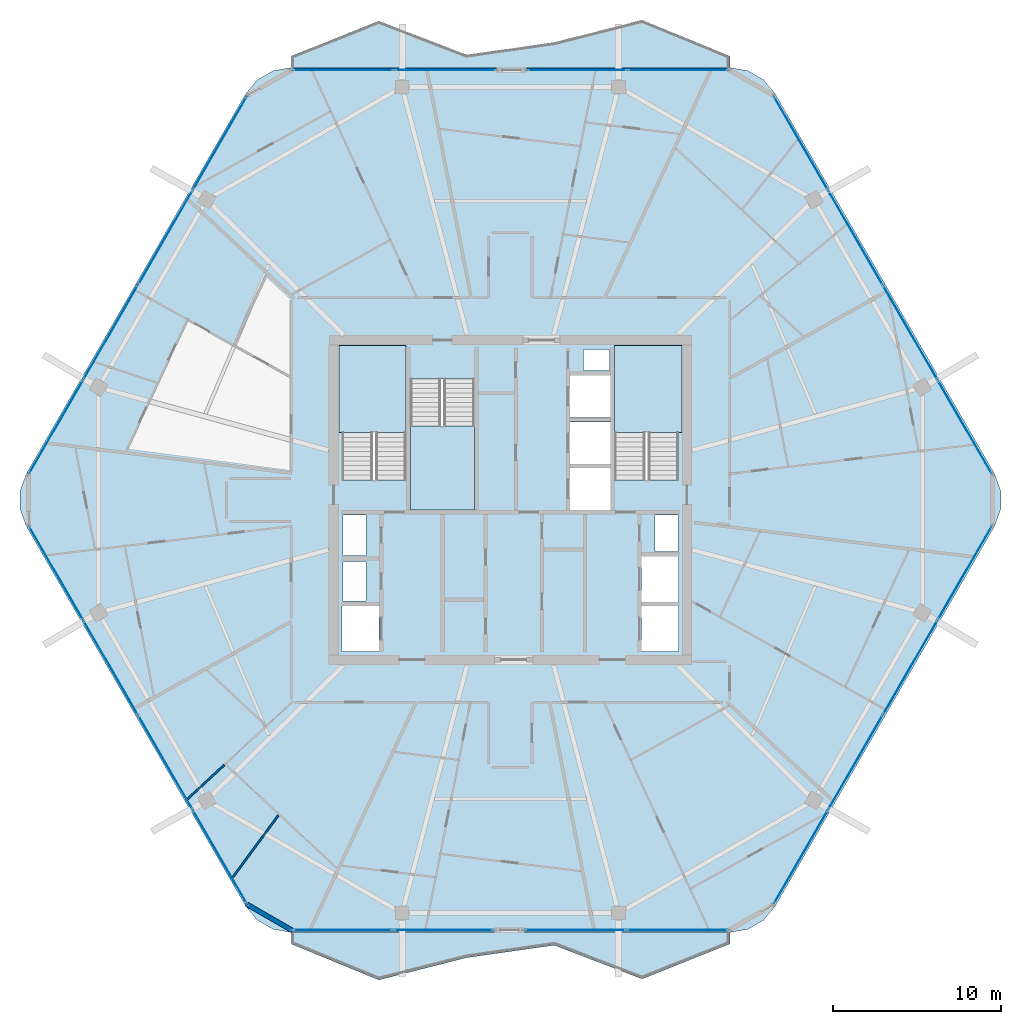
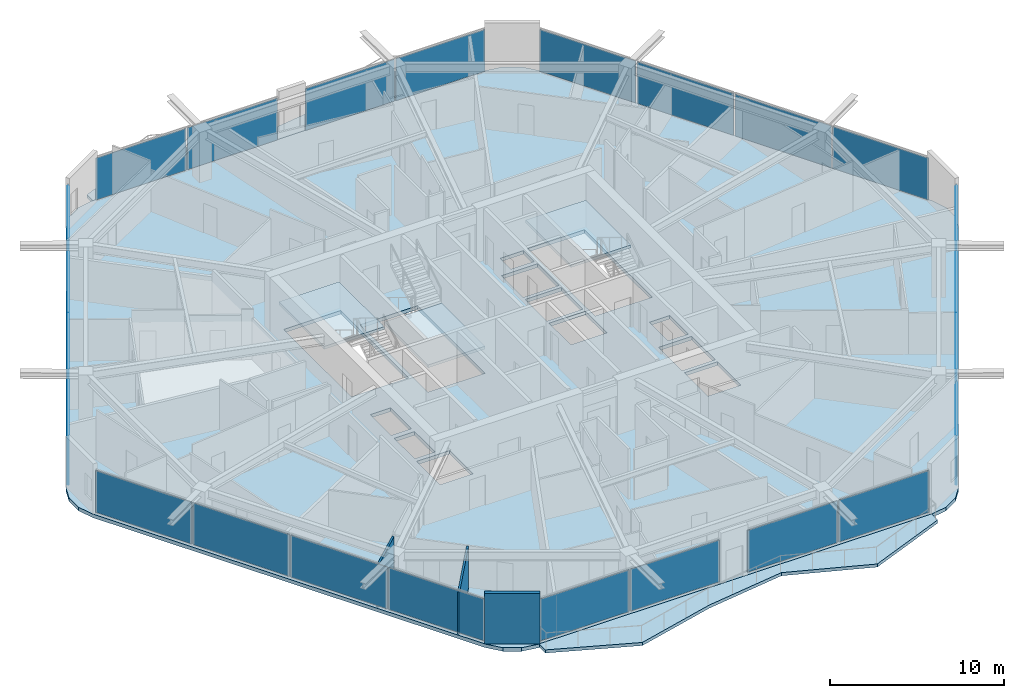
# One storey, part 18 of 27: 24 plates, 6 slabs, 3 walls, 11 elements without a shape of their own.
"""IFC4 building model written with IfcOpenShell, lengths in metres."""

from ifc_helpers import new_model, si_unit, direction, frame, frame_2d, origin, origin_2d, place, context, subcontext, project, spatial, polyline, rectangle, outline, extrude, material, layer, layer_set, type_object, element, aggregate, save


model = new_model("IFC4")

# Units and contexts
model_context = context("Model", 3, precision=1e-05, world=origin(), true_north=direction((0.0, 1.0)))
body_context = subcontext(model_context, "Body", "Model", "MODEL_VIEW")
ifc_project = project(units=[si_unit("LENGTHUNIT", "METRE"), si_unit("AREAUNIT", "SQUARE_METRE"), si_unit("VOLUMEUNIT", "CUBIC_METRE"), si_unit("PLANEANGLEUNIT", "RADIAN"), si_unit("MASSUNIT", "GRAM", prefix="KILO")], contexts=[model_context])

# Site, building, storey
site_placement = place(None, origin())
site = spatial("IfcSite", under=ifc_project, at=site_placement, CompositionType="ELEMENT")
building_placement = place(site_placement, origin())
building = spatial("IfcBuilding", under=site, at=building_placement, Name="Zuhravey Tower", CompositionType="ELEMENT")
storey_placement = place(building_placement, frame((0.0, 0.0, 265.39990234375)))
storey = spatial("IfcBuildingStorey", under=building, at=storey_placement, Name="L67", CompositionType="ELEMENT", Elevation=265.39990234375)

# Slabs
ifc_material_1 = material(Name="Concrete C50/60", Category="concrete")
ifc_layer_1 = layer(ifc_material_1, 0.25)
ifc_layer_set_1 = layer_set([ifc_layer_1], Name="Concrete C50/60")
slab_type_1 = type_object("IfcSlabType", Name="Residential Acoustic Slab 250", PredefinedType="FLOOR", material=ifc_layer_set_1)
slab_1_placement = place(storey_placement, frame((0.0, 0.0, -0.25)))
element("IfcSlab", 1, at=slab_1_placement, inside=storey, type_object=slab_type_1, Name="L67 Floor Slab FS25", PredefinedType="FLOOR", context=body_context, shape_type="SweptSolid", body=[
    extrude(outline(polyline([(64.78515625, 30.449951171875), (65.1533203125, 31.461669921875), (65.1533203125, 32.538330078125), (64.78515625, 33.550048828125), (51.73486328125, 56.153564453125), (51.04296875, 56.978515625), (50.110595703125, 57.5166015625), (49.05029296875, 57.70361328125), (22.94970703125, 57.70361328125), (21.889404296875, 57.5166015625), (20.95703125, 56.978515625), (20.26513671875, 56.153564453125), (7.21484375, 33.550048828125), (6.8466796875, 32.538330078125), (6.8466796875, 31.461669921875), (7.21484375, 30.449951171875), (20.26513671875, 7.846435546875), (20.95703125, 7.021484375), (21.889404296875, 6.4833984375), (22.94970703125, 6.29638671875), (49.05029296875, 6.29638671875), (50.110595703125, 6.4833984375), (51.04296875, 7.021484375), (51.73486328125, 7.846435546875), (64.78515625, 30.449951171875)]), holes=[polyline([(29.800048828125, 33.20068359375), (29.800048828125, 41.0), (26.0, 41.0), (26.0, 33.20068359375), (29.800048828125, 33.20068359375)]), polyline([(46.0, 33.20068359375), (46.0, 41.0), (42.199951171875, 41.0), (42.199951171875, 33.20068359375), (46.0, 33.20068359375)]), polyline([(30.050048828125, 39.199462890625), (30.050048828125, 31.39990234375), (33.85009765625, 31.39990234375), (33.85009765625, 39.199462890625), (30.050048828125, 39.199462890625)]), polyline([(39.550048828125, 31.39990234375), (41.949951171875, 31.39990234375), (41.949951171875, 33.89990234375), (39.550048828125, 33.89990234375), (39.550048828125, 31.39990234375)]), polyline([(39.550048828125, 34.14990234375), (41.949951171875, 34.14990234375), (41.949951171875, 36.64990234375), (39.550048828125, 36.64990234375), (39.550048828125, 34.14990234375)]), polyline([(39.550048828125, 36.89990234375), (41.949951171875, 36.89990234375), (41.949951171875, 39.39990234375), (39.550048828125, 39.39990234375), (39.550048828125, 36.89990234375)]), polyline([(26.0, 23.0), (28.199951171875, 23.0), (28.199951171875, 25.699951171875), (26.0, 25.699951171875), (26.0, 23.0)]), polyline([(43.800048828125, 23.0), (46.0, 23.0), (46.0, 25.699951171875), (43.800048828125, 25.699951171875), (43.800048828125, 23.0)]), polyline([(43.800048828125, 25.949951171875), (46.0, 25.949951171875), (46.0, 28.64990234375), (43.800048828125, 28.64990234375), (43.800048828125, 25.949951171875)]), polyline([(26.050048828125, 26.0), (27.39990234375, 26.0), (27.39990234375, 28.35009765625), (26.050048828125, 28.35009765625), (26.050048828125, 26.0)]), polyline([(26.050048828125, 28.699951171875), (27.39990234375, 28.699951171875), (27.39990234375, 31.10009765625), (26.050048828125, 31.10009765625), (26.050048828125, 28.699951171875)]), polyline([(44.60009765625, 28.949951171875), (45.949951171875, 28.949951171875), (45.949951171875, 31.10009765625), (44.60009765625, 31.10009765625), (44.60009765625, 28.949951171875)]), polyline([(40.35009765625, 39.699951171875), (41.89990234375, 39.699951171875), (41.89990234375, 40.949951171875), (40.35009765625, 40.949951171875), (40.35009765625, 39.699951171875)])]), origin(), (0.0, 0.0, 1.0), 0.25),
])
ifc_material_2 = material(Name="Concrete C40/50", Category="concrete")
ifc_layer_2 = layer(ifc_material_2, 0.219970703125)
ifc_layer_set_2 = layer_set([ifc_layer_2], Name="Concrete C40/50")
slab_type_2 = type_object("IfcSlabType", Name="Sinusoidal Residential Wave Balcony 220", PredefinedType="FLOOR", material=ifc_layer_set_2)
slab_2_placement = place(storey_placement, frame((0.0, 0.0, -0.219970703125)))
element("IfcSlab", 2, at=slab_2_placement, inside=storey, type_object=slab_type_2, Name="L67 Face 2 Wave Balcony WB22", PredefinedType="FLOOR", context=body_context, shape_type="SweptSolid", body=[
    extrude(outline(polyline([(49.04150390625, 57.688720703125), (22.95849609375, 57.688720703125), (22.95849609375, 58.388671875), (28.175048828125, 60.4736328125), (33.3916015625, 58.4677734375), (38.6083984375, 59.208740234375), (43.824951171875, 60.533203125), (49.04150390625, 58.388671875), (49.04150390625, 57.688720703125)])), origin(), (0.0, 0.0, 1.0), 0.219970703125),
])
slab_3_placement = place(storey_placement, frame((0.0, 0.0, -0.219970703125)))
element("IfcSlab", 3, at=slab_3_placement, inside=storey, type_object=slab_type_2, Name="L67 Face 5 Wave Balcony WB22", PredefinedType="FLOOR", context=body_context, shape_type="SweptSolid", body=[
    extrude(outline(polyline([(22.95849609375, 6.311279296875), (49.04150390625, 6.311279296875), (49.04150390625, 5.611328125), (43.824951171875, 3.5263671875), (38.6083984375, 5.5322265625), (33.3916015625, 4.791259765625), (28.175048828125, 3.466796875), (22.95849609375, 5.611328125), (22.95849609375, 6.311279296875)])), origin(), (0.0, 0.0, 1.0), 0.219970703125),
])

# Stair, slab
stair_type = type_object("IfcStairType", Name="Housing Storey Stair Assembly 3800", PredefinedType="HALF_TURN_STAIR", material=ifc_material_2)
stair_1_placement = place(storey_placement, origin())
stair_1 = element("IfcStair", 4, at=stair_1_placement, inside=storey, type_object=stair_type, Name="L67 Core Exit Stair ST1", PredefinedType="HALF_TURN_STAIR")
ifc_layer_3 = layer(ifc_material_2, 0.199951171875)
ifc_layer_set_3 = layer_set([ifc_layer_3], Name="Concrete C40/50")
slab_type_3 = type_object("IfcSlabType", Name="Stair Landing Slab 200", PredefinedType="LANDING", material=ifc_layer_set_3)
slab_4_placement = place(storey_placement, frame((0.0, 0.0, 1.7001953125)))
slab_4 = element("IfcSlab", 5, at=slab_4_placement, type_object=slab_type_3, Name="ST1 landing 1", PredefinedType="LANDING", context=body_context, shape_type="SweptSolid", body=[
    extrude(outline(polyline([(29.800048828125, 36.0), (29.800048828125, 41.197998046875), (25.802001953125, 41.197998046875), (25.802001953125, 36.0), (29.800048828125, 36.0)])), origin(), (0.0, 0.0, 1.0), 0.199951171875),
])
aggregate(stair_1, [slab_4])

stair_2_placement = place(storey_placement, origin())
stair_2 = element("IfcStair", 6, at=stair_2_placement, inside=storey, type_object=stair_type, Name="L67 Core Exit Stair ST2", PredefinedType="HALF_TURN_STAIR")
slab_5_placement = place(storey_placement, frame((0.0, 0.0, 1.7001953125)))
slab_5 = element("IfcSlab", 7, at=slab_5_placement, type_object=slab_type_3, Name="ST2 landing 1", PredefinedType="LANDING", context=body_context, shape_type="SweptSolid", body=[
    extrude(outline(polyline([(46.197998046875, 36.0), (46.197998046875, 41.197998046875), (42.199951171875, 41.197998046875), (42.199951171875, 36.0), (46.197998046875, 36.0)])), origin(), (0.0, 0.0, 1.0), 0.199951171875),
])
aggregate(stair_2, [slab_5])

stair_3_placement = place(storey_placement, origin())
stair_3 = element("IfcStair", 8, at=stair_3_placement, inside=storey, type_object=stair_type, Name="L67 Core Exit Stair ST3", PredefinedType="HALF_TURN_STAIR")
slab_6_placement = place(storey_placement, frame((0.0, 0.0, 1.7001953125)))
slab_6 = element("IfcSlab", 9, at=slab_6_placement, type_object=slab_type_3, Name="ST3 landing 1", PredefinedType="LANDING", context=body_context, shape_type="SweptSolid", body=[
    extrude(outline(polyline([(30.050048828125, 36.39990234375), (30.050048828125, 31.39990234375), (33.85009765625, 31.39990234375), (33.85009765625, 36.39990234375), (30.050048828125, 36.39990234375)])), origin(), (0.0, 0.0, 1.0), 0.199951171875),
])
aggregate(stair_3, [slab_6])

# Curtain wall, plates
ifc_material_3 = material(Name="Thermally broken anodised aluminium", Category="aluminium")
curtain_wall_type = type_object("IfcCurtainWallType", Name="Zone 3-4 High-Rise Curtain Wall CW4", PredefinedType="NOTDEFINED", material=ifc_material_3)
curtain_wall_1_placement = place(storey_placement, origin())
curtain_wall_1 = element("IfcCurtainWall", 10, at=curtain_wall_1_placement, inside=storey, type_object=curtain_wall_type, Name="L67 CW4 CW-L67-F6-1", PredefinedType="NOTDEFINED")
ifc_material_4 = material(Name="Triple low-E insulated vision glass", Category="glass")
ifc_layer_4 = layer(ifc_material_4, 0.0419921875)
ifc_layer_set_4 = layer_set([ifc_layer_4], Name="Triple low-E insulated vision glass")
plate_type = type_object("IfcPlateType", Name="Triple Low-E Vision Panel", PredefinedType="CURTAIN_PANEL", material=ifc_layer_set_4)
plate_1_placement = place(storey_placement, frame((63.00732421875, 27.650634765625, 0.090087890625), z_axis=(0.0, 0.0, 1.0), x_axis=(-0.500000957414, -0.866024851021, 0.0)))
plate_1 = element("IfcPlate", 11, at=plate_1_placement, type_object=plate_type, Name="CW4 panel 1.1", PredefinedType="CURTAIN_PANEL", context=body_context, shape_type="SweptSolid", body=[
    extrude(rectangle(XDim=6.371337890625, YDim=0.0419921875, at=origin_2d()), origin(), (0.0, 0.0, 1.0), 2.94189453125),
])
plate_2_placement = place(storey_placement, frame((59.765380859375, 22.03564453125, 0.090087890625), z_axis=(0.0, 0.0, 1.0), x_axis=(-0.500000957414, -0.866024851021, 0.0)))
plate_2 = element("IfcPlate", 12, at=plate_2_placement, type_object=plate_type, Name="CW4 panel 2.1", PredefinedType="CURTAIN_PANEL", context=body_context, shape_type="SweptSolid", body=[
    extrude(rectangle(XDim=6.416259765625, YDim=0.0419921875, at=origin_2d()), origin(), (0.0, 0.0, 1.0), 2.94189453125),
])
plate_3_placement = place(storey_placement, frame((56.51220703125, 16.40087890625, 0.090087890625), z_axis=(0.0, 0.0, 1.0), x_axis=(-0.500000957414, -0.866024851021, 0.0)))
plate_3 = element("IfcPlate", 13, at=plate_3_placement, type_object=plate_type, Name="CW4 panel 3.1", PredefinedType="CURTAIN_PANEL", context=body_context, shape_type="SweptSolid", body=[
    extrude(rectangle(XDim=6.416259765625, YDim=0.0419921875, at=origin_2d()), origin(), (0.0, 0.0, 1.0), 2.94189453125),
])
plate_4_placement = place(storey_placement, frame((53.270263671875, 10.78564453125, 0.090087890625), z_axis=(0.0, 0.0, 1.0), x_axis=(-0.500000957414, -0.866024851021, 0.0)))
plate_4 = element("IfcPlate", 14, at=plate_4_placement, type_object=plate_type, Name="CW4 panel 4.1", PredefinedType="CURTAIN_PANEL", context=body_context, shape_type="SweptSolid", body=[
    extrude(rectangle(XDim=6.371337890625, YDim=0.0419921875, at=origin_2d()), origin(), (0.0, 0.0, 1.0), 2.94189453125),
])
aggregate(curtain_wall_1, [plate_1, plate_2, plate_3, plate_4])

curtain_wall_2_placement = place(storey_placement, origin())
curtain_wall_2 = element("IfcCurtainWall", 15, at=curtain_wall_2_placement, inside=storey, type_object=curtain_wall_type, Name="L67 CW4 CW-L67-F5-1", PredefinedType="NOTDEFINED")
plate_5_placement = place(storey_placement, frame((45.932861328125, 6.436279296875, 0.090087890625), z_axis=(0.0, 0.0, 1.0), x_axis=(-1.0, 0.0, 0.0)))
plate_5 = element("IfcPlate", 16, at=plate_5_placement, type_object=plate_type, Name="CW4 panel 1.1", PredefinedType="CURTAIN_PANEL", context=body_context, shape_type="SweptSolid", body=[
    extrude(rectangle(XDim=5.9794921875, YDim=0.0419921875, at=origin_2d()), origin(), (0.0, 0.0, 1.0), 2.94189453125),
])
plate_6_placement = place(storey_placement, frame((39.86328125, 6.436279296875, 0.090087890625), z_axis=(0.0, 0.0, 1.0), x_axis=(-1.0, 0.0, 0.0)))
plate_6 = element("IfcPlate", 17, at=plate_6_placement, type_object=plate_type, Name="CW4 panel 2.1", PredefinedType="CURTAIN_PANEL", context=body_context, shape_type="SweptSolid", body=[
    extrude(rectangle(XDim=5.9794921875, YDim=0.0419921875, at=origin_2d()), origin(), (0.0, 0.0, 1.0), 2.94189453125),
])
aggregate(curtain_wall_2, [plate_5, plate_6])

curtain_wall_3_placement = place(storey_placement, origin())
curtain_wall_3 = element("IfcCurtainWall", 18, at=curtain_wall_3_placement, inside=storey, type_object=curtain_wall_type, Name="L67 CW4 CW-L67-F5-2", PredefinedType="NOTDEFINED")
plate_7_placement = place(storey_placement, frame((32.036865234375, 6.436279296875, 0.090087890625), z_axis=(0.0, 0.0, 1.0), x_axis=(-1.0, 0.0, 0.0)))
plate_7 = element("IfcPlate", 19, at=plate_7_placement, type_object=plate_type, Name="CW4 panel 1.1", PredefinedType="CURTAIN_PANEL", context=body_context, shape_type="SweptSolid", body=[
    extrude(rectangle(XDim=5.9130859375, YDim=0.0419921875, at=origin_2d()), origin(), (0.0, 0.0, 1.0), 2.94189453125),
])
plate_8_placement = place(storey_placement, frame((26.033935546875, 6.436279296875, 0.090087890625), z_axis=(0.0, 0.0, 1.0), x_axis=(-1.0, 0.0, 0.0)))
plate_8 = element("IfcPlate", 20, at=plate_8_placement, type_object=plate_type, Name="CW4 panel 2.1", PredefinedType="CURTAIN_PANEL", context=body_context, shape_type="SweptSolid", body=[
    extrude(rectangle(XDim=5.9130859375, YDim=0.0419921875, at=origin_2d()), origin(), (0.0, 0.0, 1.0), 2.94189453125),
])
aggregate(curtain_wall_3, [plate_7, plate_8])

curtain_wall_4_placement = place(storey_placement, origin())
curtain_wall_4 = element("IfcCurtainWall", 21, at=curtain_wall_4_placement, inside=storey, type_object=curtain_wall_type, Name="L67 CW4 CW-L67-F4-1", PredefinedType="NOTDEFINED")
plate_9_placement = place(storey_placement, frame((18.729736328125, 10.78564453125, 0.090087890625), z_axis=(0.0, 0.0, 1.0), x_axis=(-0.500000957414, 0.866024851021, 0.0)))
plate_9 = element("IfcPlate", 22, at=plate_9_placement, type_object=plate_type, Name="CW4 panel 1.1", PredefinedType="CURTAIN_PANEL", context=body_context, shape_type="SweptSolid", body=[
    extrude(rectangle(XDim=6.371337890625, YDim=0.0419921875, at=origin_2d()), origin(), (0.0, 0.0, 1.0), 2.94189453125),
])
plate_10_placement = place(storey_placement, frame((15.48779296875, 16.40087890625, 0.090087890625), z_axis=(0.0, 0.0, 1.0), x_axis=(-0.500000957414, 0.866024851021, 0.0)))
plate_10 = element("IfcPlate", 23, at=plate_10_placement, type_object=plate_type, Name="CW4 panel 2.1", PredefinedType="CURTAIN_PANEL", context=body_context, shape_type="SweptSolid", body=[
    extrude(rectangle(XDim=6.416259765625, YDim=0.0419921875, at=origin_2d()), origin(), (0.0, 0.0, 1.0), 2.94189453125),
])
plate_11_placement = place(storey_placement, frame((12.234619140625, 22.03564453125, 0.090087890625), z_axis=(0.0, 0.0, 1.0), x_axis=(-0.500000957414, 0.866024851021, 0.0)))
plate_11 = element("IfcPlate", 24, at=plate_11_placement, type_object=plate_type, Name="CW4 panel 3.1", PredefinedType="CURTAIN_PANEL", context=body_context, shape_type="SweptSolid", body=[
    extrude(rectangle(XDim=6.416259765625, YDim=0.0419921875, at=origin_2d()), origin(), (0.0, 0.0, 1.0), 2.94189453125),
])
plate_12_placement = place(storey_placement, frame((8.99267578125, 27.650634765625, 0.090087890625), z_axis=(0.0, 0.0, 1.0), x_axis=(-0.500000957414, 0.866024851021, 0.0)))
plate_12 = element("IfcPlate", 25, at=plate_12_placement, type_object=plate_type, Name="CW4 panel 4.1", PredefinedType="CURTAIN_PANEL", context=body_context, shape_type="SweptSolid", body=[
    extrude(rectangle(XDim=6.371337890625, YDim=0.0419921875, at=origin_2d()), origin(), (0.0, 0.0, 1.0), 2.94189453125),
])
aggregate(curtain_wall_4, [plate_9, plate_10, plate_11, plate_12])

curtain_wall_5_placement = place(storey_placement, origin())
curtain_wall_5 = element("IfcCurtainWall", 26, at=curtain_wall_5_placement, inside=storey, type_object=curtain_wall_type, Name="L67 CW4 CW-L67-F3-1", PredefinedType="NOTDEFINED")
plate_13_placement = place(storey_placement, frame((8.99267578125, 36.349365234375, 0.090087890625), z_axis=(0.0, 0.0, 1.0), x_axis=(0.500000957414, 0.866024851021, 0.0)))
plate_13 = element("IfcPlate", 27, at=plate_13_placement, type_object=plate_type, Name="CW4 panel 1.1", PredefinedType="CURTAIN_PANEL", context=body_context, shape_type="SweptSolid", body=[
    extrude(rectangle(XDim=6.371337890625, YDim=0.0419921875, at=origin_2d()), origin(), (0.0, 0.0, 1.0), 2.94189453125),
])
plate_14_placement = place(storey_placement, frame((12.234619140625, 41.96435546875, 0.090087890625), z_axis=(0.0, 0.0, 1.0), x_axis=(0.500000957414, 0.866024851021, 0.0)))
plate_14 = element("IfcPlate", 28, at=plate_14_placement, type_object=plate_type, Name="CW4 panel 2.1", PredefinedType="CURTAIN_PANEL", context=body_context, shape_type="SweptSolid", body=[
    extrude(rectangle(XDim=6.416259765625, YDim=0.0419921875, at=origin_2d()), origin(), (0.0, 0.0, 1.0), 2.94189453125),
])
plate_15_placement = place(storey_placement, frame((15.48779296875, 47.59912109375, 0.090087890625), z_axis=(0.0, 0.0, 1.0), x_axis=(0.500000957414, 0.866024851021, 0.0)))
plate_15 = element("IfcPlate", 29, at=plate_15_placement, type_object=plate_type, Name="CW4 panel 3.1", PredefinedType="CURTAIN_PANEL", context=body_context, shape_type="SweptSolid", body=[
    extrude(rectangle(XDim=6.416259765625, YDim=0.0419921875, at=origin_2d()), origin(), (0.0, 0.0, 1.0), 2.94189453125),
])
plate_16_placement = place(storey_placement, frame((18.729736328125, 53.21435546875, 0.090087890625), z_axis=(0.0, 0.0, 1.0), x_axis=(0.500000957414, 0.866024851021, 0.0)))
plate_16 = element("IfcPlate", 30, at=plate_16_placement, type_object=plate_type, Name="CW4 panel 4.1", PredefinedType="CURTAIN_PANEL", context=body_context, shape_type="SweptSolid", body=[
    extrude(rectangle(XDim=6.371337890625, YDim=0.0419921875, at=origin_2d()), origin(), (0.0, 0.0, 1.0), 2.94189453125),
])
aggregate(curtain_wall_5, [plate_13, plate_14, plate_15, plate_16])

curtain_wall_6_placement = place(storey_placement, origin())
curtain_wall_6 = element("IfcCurtainWall", 31, at=curtain_wall_6_placement, inside=storey, type_object=curtain_wall_type, Name="L67 CW4 CW-L67-F2-1", PredefinedType="NOTDEFINED")
plate_17_placement = place(storey_placement, frame((26.067138671875, 57.563720703125, 0.090087890625), z_axis=(0.0, 0.0, 1.0), x_axis=(1.0, 0.0, 0.0)))
plate_17 = element("IfcPlate", 32, at=plate_17_placement, type_object=plate_type, Name="CW4 panel 1.1", PredefinedType="CURTAIN_PANEL", context=body_context, shape_type="SweptSolid", body=[
    extrude(rectangle(XDim=5.9794921875, YDim=0.0419921875, at=origin_2d()), origin(), (0.0, 0.0, 1.0), 2.94189453125),
])
plate_18_placement = place(storey_placement, frame((32.13671875, 57.563720703125, 0.090087890625), z_axis=(0.0, 0.0, 1.0), x_axis=(1.0, 0.0, 0.0)))
plate_18 = element("IfcPlate", 33, at=plate_18_placement, type_object=plate_type, Name="CW4 panel 2.1", PredefinedType="CURTAIN_PANEL", context=body_context, shape_type="SweptSolid", body=[
    extrude(rectangle(XDim=5.9794921875, YDim=0.0419921875, at=origin_2d()), origin(), (0.0, 0.0, 1.0), 2.94189453125),
])
aggregate(curtain_wall_6, [plate_17, plate_18])

curtain_wall_7_placement = place(storey_placement, origin())
curtain_wall_7 = element("IfcCurtainWall", 34, at=curtain_wall_7_placement, inside=storey, type_object=curtain_wall_type, Name="L67 CW4 CW-L67-F2-2", PredefinedType="NOTDEFINED")
plate_19_placement = place(storey_placement, frame((39.963134765625, 57.563720703125, 0.090087890625), z_axis=(0.0, 0.0, 1.0), x_axis=(1.0, 0.0, 0.0)))
plate_19 = element("IfcPlate", 35, at=plate_19_placement, type_object=plate_type, Name="CW4 panel 1.1", PredefinedType="CURTAIN_PANEL", context=body_context, shape_type="SweptSolid", body=[
    extrude(rectangle(XDim=5.9130859375, YDim=0.0419921875, at=origin_2d()), origin(), (0.0, 0.0, 1.0), 2.94189453125),
])
plate_20_placement = place(storey_placement, frame((45.966064453125, 57.563720703125, 0.090087890625), z_axis=(0.0, 0.0, 1.0), x_axis=(1.0, 0.0, 0.0)))
plate_20 = element("IfcPlate", 36, at=plate_20_placement, type_object=plate_type, Name="CW4 panel 2.1", PredefinedType="CURTAIN_PANEL", context=body_context, shape_type="SweptSolid", body=[
    extrude(rectangle(XDim=5.9130859375, YDim=0.0419921875, at=origin_2d()), origin(), (0.0, 0.0, 1.0), 2.94189453125),
])
aggregate(curtain_wall_7, [plate_19, plate_20])

curtain_wall_8_placement = place(storey_placement, origin())
curtain_wall_8 = element("IfcCurtainWall", 37, at=curtain_wall_8_placement, inside=storey, type_object=curtain_wall_type, Name="L67 CW4 CW-L67-F1-1", PredefinedType="NOTDEFINED")
plate_21_placement = place(storey_placement, frame((53.270263671875, 53.21435546875, 0.090087890625), z_axis=(0.0, 0.0, 1.0), x_axis=(0.500000957414, -0.866024851021, 0.0)))
plate_21 = element("IfcPlate", 38, at=plate_21_placement, type_object=plate_type, Name="CW4 panel 1.1", PredefinedType="CURTAIN_PANEL", context=body_context, shape_type="SweptSolid", body=[
    extrude(rectangle(XDim=6.371337890625, YDim=0.0419921875, at=origin_2d()), origin(), (0.0, 0.0, 1.0), 2.94189453125),
])
plate_22_placement = place(storey_placement, frame((56.51220703125, 47.59912109375, 0.090087890625), z_axis=(0.0, 0.0, 1.0), x_axis=(0.500000957414, -0.866024851021, 0.0)))
plate_22 = element("IfcPlate", 39, at=plate_22_placement, type_object=plate_type, Name="CW4 panel 2.1", PredefinedType="CURTAIN_PANEL", context=body_context, shape_type="SweptSolid", body=[
    extrude(rectangle(XDim=6.416259765625, YDim=0.0419921875, at=origin_2d()), origin(), (0.0, 0.0, 1.0), 2.94189453125),
])
plate_23_placement = place(storey_placement, frame((59.765380859375, 41.96435546875, 0.090087890625), z_axis=(0.0, 0.0, 1.0), x_axis=(0.500000957414, -0.866024851021, 0.0)))
plate_23 = element("IfcPlate", 40, at=plate_23_placement, type_object=plate_type, Name="CW4 panel 3.1", PredefinedType="CURTAIN_PANEL", context=body_context, shape_type="SweptSolid", body=[
    extrude(rectangle(XDim=6.416259765625, YDim=0.0419921875, at=origin_2d()), origin(), (0.0, 0.0, 1.0), 2.94189453125),
])
plate_24_placement = place(storey_placement, frame((63.00732421875, 36.349365234375, 0.090087890625), z_axis=(0.0, 0.0, 1.0), x_axis=(0.500000957414, -0.866024851021, 0.0)))
plate_24 = element("IfcPlate", 41, at=plate_24_placement, type_object=plate_type, Name="CW4 panel 4.1", PredefinedType="CURTAIN_PANEL", context=body_context, shape_type="SweptSolid", body=[
    extrude(rectangle(XDim=6.371337890625, YDim=0.0419921875, at=origin_2d()), origin(), (0.0, 0.0, 1.0), 2.94189453125),
])
aggregate(curtain_wall_8, [plate_21, plate_22, plate_23, plate_24])

# Walls
ifc_material_5 = material(Name="Precast concrete C40/50", Category="concrete")
ifc_layer_5 = layer(ifc_material_5, 0.280029296875)
ifc_layer_set_5 = layer_set([ifc_layer_5], Name="Precast concrete C40/50")
wall_type_1 = type_object("IfcWallType", Name="Crown Architectural Wall 280", PredefinedType="SOLIDWALL", material=ifc_layer_set_5)
wall_1_placement = place(storey_placement, frame((23.069580078125, 6.388916015625, 0.0), z_axis=(0.0, 0.0, 1.0), x_axis=(-0.866028773314, 0.499994163758, 0.0)))
element("IfcWall", 42, at=wall_1_placement, inside=storey, type_object=wall_type_1, Name="L67 Rounded Corner Closure Wall EW28-04", PredefinedType="SOLIDWALL", context=body_context, shape_type="SweptSolid", body=[
    extrude(rectangle(XDim=3.21484375, YDim=0.280029296875, at=frame_2d((1.607421875, 0.0))), origin(), (0.0, 0.0, 1.0), 3.550048828125),
])
ifc_material_6 = material(Name="Gypsum metal-stud partition")
ifc_layer_6 = layer(ifc_material_6, 0.1201171875)
ifc_layer_set_6 = layer_set([ifc_layer_6], Name="Gypsum metal-stud partition")
wall_type_2 = type_object("IfcWallType", Name="Unit Internal Partition 120", PredefinedType="PARTITIONING", material=ifc_layer_set_6)
wall_2_placement = place(storey_placement, frame((18.99560546875, 16.253662109375, 0.0), z_axis=(0.0, 0.0, 1.0), x_axis=(-0.733732538896, -0.679438416168, 0.0)))
element("IfcWall", 43, at=wall_2_placement, inside=storey, type_object=wall_type_2, Name="L67 IW12 Partition 035", PredefinedType="PARTITIONING", context=body_context, shape_type="SweptSolid", body=[
    extrude(rectangle(XDim=3.044189453125, YDim=0.1201171875, at=frame_2d((1.52197265625, 0.0))), origin(), (0.0, 0.0, 1.0), 2.93017578125),
])
wall_3_placement = place(storey_placement, frame((22.20751953125, 13.25830078125, 0.0), z_axis=(0.0, 0.0, 1.0), x_axis=(-0.592681807332, -0.80543669848, 0.0)))
element("IfcWall", 44, at=wall_3_placement, inside=storey, type_object=wall_type_2, Name="L67 IW12 Partition 083", PredefinedType="PARTITIONING", context=body_context, shape_type="SweptSolid", body=[
    extrude(rectangle(XDim=4.67041015625, YDim=0.1201171875, at=frame_2d((2.335205078125, 0.0))), origin(), (0.0, 0.0, 1.0), 2.93017578125),
])

save(model, "model.ifc")
